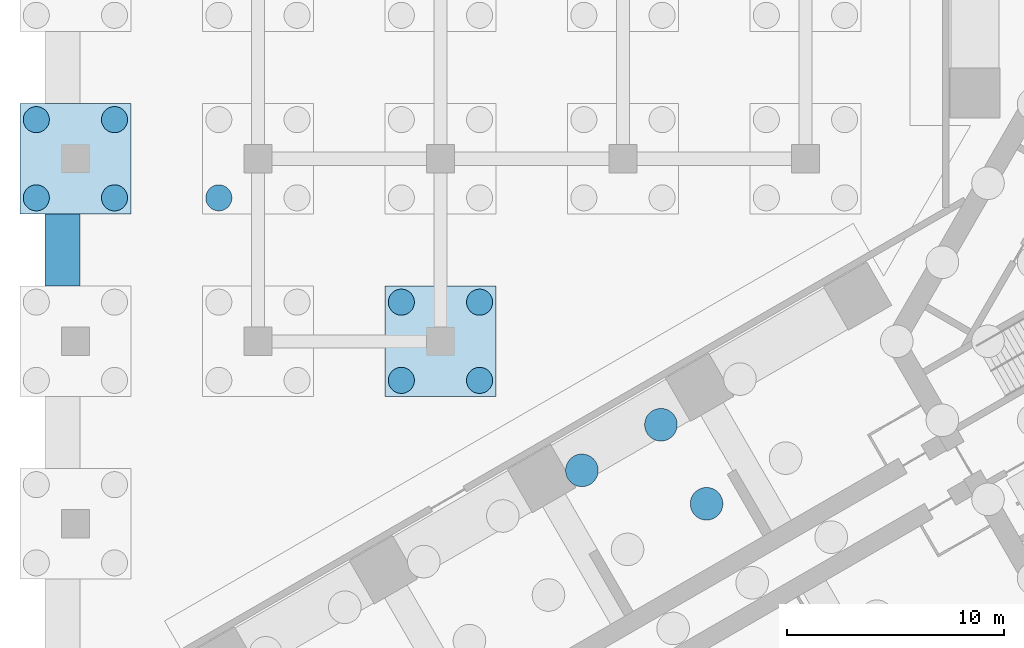
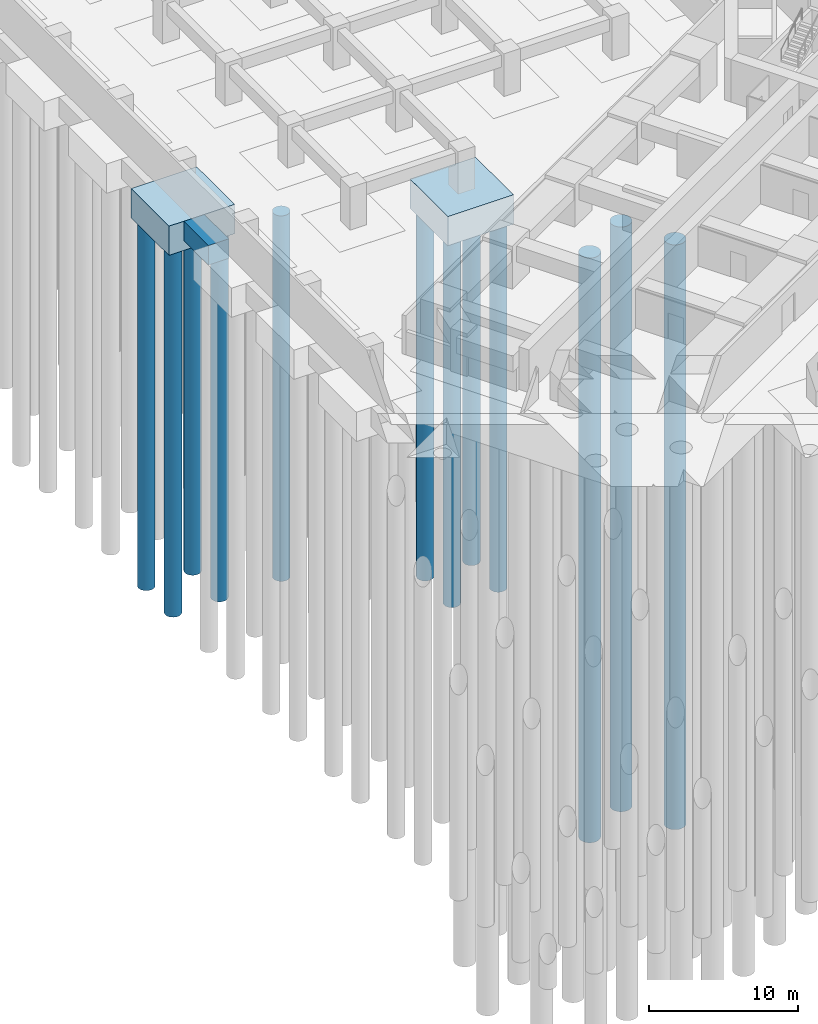
# One storey, part 12 of 73: 12 piles, 3 footings.
"""IFC4 building model written with IfcOpenShell, lengths in metres."""

from ifc_helpers import new_model, si_unit, direction, frame, origin, origin_2d, place, context, subcontext, project, spatial, polyline, circle, outline, extrude, material, material_profile, profile_set, type_object, element, save


model = new_model("IFC4")

# Units and contexts
model_context = context("Model", 3, precision=1e-05, world=origin(), true_north=direction((0.0, 1.0)))
body_context = subcontext(model_context, "Body", "Model", "MODEL_VIEW")
ifc_project = project(units=[si_unit("LENGTHUNIT", "METRE"), si_unit("AREAUNIT", "SQUARE_METRE"), si_unit("VOLUMEUNIT", "CUBIC_METRE"), si_unit("PLANEANGLEUNIT", "RADIAN"), si_unit("MASSUNIT", "GRAM", prefix="KILO")], contexts=[model_context])

# Site, building, storey
site_placement = place(None, origin())
site = spatial("IfcSite", under=ifc_project, at=site_placement, CompositionType="ELEMENT")
building_placement = place(site_placement, origin())
building = spatial("IfcBuilding", under=site, at=building_placement, Name="Impinga Residences", CompositionType="ELEMENT")
storey_placement = place(building_placement, frame((0.0, 0.0, -10.5)))
storey = spatial("IfcBuildingStorey", under=building, at=storey_placement, Name="B3", CompositionType="ELEMENT", Elevation=-10.5)

# Piles
ifc_material_1 = material(Name="Concrete C35/45", Category="concrete")
ifc_material_profile_1 = material_profile(ifc_material_1, circle(Radius=0.75, at=origin_2d()), Name="D1500")
ifc_profile_set_1 = profile_set([ifc_material_profile_1], Name="Concrete C35/45")
pile_type_1 = type_object("IfcPileType", Name="BP1 bored pile D1500", PredefinedType="BORED", material=ifc_profile_set_1)
pile_1_placement = place(storey_placement, frame((-21.35302734375, -7.478515625, -4.0), z_axis=(0.0, 0.0, -1.0), x_axis=(1.0, 0.0, 0.0)))
element("IfcPile", 1, at=pile_1_placement, inside=storey, type_object=pile_type_1, Name="Raft pile BP1-071", PredefinedType="BORED", context=body_context, shape_type="SweptSolid", body=[
    extrude(outline(polyline([(0.75, 0.0), (0.746337890625, 0.073486328125), (0.735595703125, 0.146240234375), (0.7177734375, 0.2177734375), (0.69287109375, 0.287109375), (0.661376953125, 0.353515625), (0.62353515625, 0.416748046875), (0.579833984375, 0.475830078125), (0.5302734375, 0.5302734375), (0.475830078125, 0.579833984375), (0.416748046875, 0.62353515625), (0.353515625, 0.661376953125), (0.287109375, 0.69287109375), (0.2177734375, 0.7177734375), (0.146240234375, 0.735595703125), (0.073486328125, 0.746337890625), (0.0, 0.75), (-0.073486328125, 0.746337890625), (-0.146240234375, 0.735595703125), (-0.2177734375, 0.7177734375), (-0.287109375, 0.69287109375), (-0.353515625, 0.661376953125), (-0.416748046875, 0.62353515625), (-0.475830078125, 0.579833984375), (-0.5302734375, 0.5302734375), (-0.579833984375, 0.475830078125), (-0.62353515625, 0.416748046875), (-0.661376953125, 0.353515625), (-0.69287109375, 0.287109375), (-0.7177734375, 0.2177734375), (-0.735595703125, 0.146240234375), (-0.746337890625, 0.073486328125), (-0.75, 0.0), (-0.746337890625, -0.073486328125), (-0.735595703125, -0.146240234375), (-0.7177734375, -0.2177734375), (-0.69287109375, -0.287109375), (-0.661376953125, -0.353515625), (-0.62353515625, -0.416748046875), (-0.579833984375, -0.475830078125), (-0.5302734375, -0.5302734375), (-0.475830078125, -0.579833984375), (-0.416748046875, -0.62353515625), (-0.353515625, -0.661376953125), (-0.287109375, -0.69287109375), (-0.2177734375, -0.7177734375), (-0.146240234375, -0.735595703125), (-0.073486328125, -0.746337890625), (0.0, -0.75), (0.073486328125, -0.746337890625), (0.146240234375, -0.735595703125), (0.2177734375, -0.7177734375), (0.287109375, -0.69287109375), (0.353515625, -0.661376953125), (0.416748046875, -0.62353515625), (0.475830078125, -0.579833984375), (0.5302734375, -0.5302734375), (0.579833984375, -0.475830078125), (0.62353515625, -0.416748046875), (0.661376953125, -0.353515625), (0.69287109375, -0.287109375), (0.7177734375, -0.2177734375), (0.735595703125, -0.146240234375), (0.746337890625, -0.073486328125), (0.75, 0.0)])), origin(), (0.0, 0.0, 1.0), 48.0),
])
pile_2_placement = place(storey_placement, frame((-27.09033203125, -5.941162109375, -4.0), z_axis=(0.0, 0.0, -1.0), x_axis=(1.0, 0.0, 0.0)))
element("IfcPile", 2, at=pile_2_placement, inside=storey, type_object=pile_type_1, Name="Raft pile BP1-078", PredefinedType="BORED", context=body_context, shape_type="SweptSolid", body=[
    extrude(outline(polyline([(0.75, 0.0), (0.746337890625, 0.073486328125), (0.735595703125, 0.146240234375), (0.7177734375, 0.2177734375), (0.69287109375, 0.287109375), (0.661376953125, 0.353515625), (0.62353515625, 0.416748046875), (0.579833984375, 0.475830078125), (0.5302734375, 0.5302734375), (0.475830078125, 0.579833984375), (0.416748046875, 0.62353515625), (0.353515625, 0.661376953125), (0.287109375, 0.69287109375), (0.2177734375, 0.7177734375), (0.146240234375, 0.735595703125), (0.073486328125, 0.746337890625), (0.0, 0.75), (-0.073486328125, 0.746337890625), (-0.146240234375, 0.735595703125), (-0.2177734375, 0.7177734375), (-0.287109375, 0.69287109375), (-0.353515625, 0.661376953125), (-0.416748046875, 0.62353515625), (-0.475830078125, 0.579833984375), (-0.5302734375, 0.5302734375), (-0.579833984375, 0.475830078125), (-0.62353515625, 0.416748046875), (-0.661376953125, 0.353515625), (-0.69287109375, 0.287109375), (-0.7177734375, 0.2177734375), (-0.735595703125, 0.146240234375), (-0.746337890625, 0.073486328125), (-0.75, 0.0), (-0.746337890625, -0.073486328125), (-0.735595703125, -0.146240234375), (-0.7177734375, -0.2177734375), (-0.69287109375, -0.287109375), (-0.661376953125, -0.353515625), (-0.62353515625, -0.416748046875), (-0.579833984375, -0.475830078125), (-0.5302734375, -0.5302734375), (-0.475830078125, -0.579833984375), (-0.416748046875, -0.62353515625), (-0.353515625, -0.661376953125), (-0.287109375, -0.69287109375), (-0.2177734375, -0.7177734375), (-0.146240234375, -0.735595703125), (-0.073486328125, -0.746337890625), (0.0, -0.75), (0.073486328125, -0.746337890625), (0.146240234375, -0.735595703125), (0.2177734375, -0.7177734375), (0.287109375, -0.69287109375), (0.353515625, -0.661376953125), (0.416748046875, -0.62353515625), (0.475830078125, -0.579833984375), (0.5302734375, -0.5302734375), (0.579833984375, -0.475830078125), (0.62353515625, -0.416748046875), (0.661376953125, -0.353515625), (0.69287109375, -0.287109375), (0.7177734375, -0.2177734375), (0.735595703125, -0.146240234375), (0.746337890625, -0.073486328125), (0.75, 0.0)])), origin(), (0.0, 0.0, 1.0), 48.0),
])
pile_3_placement = place(storey_placement, frame((-23.453125, -3.841064453125, -4.0), z_axis=(0.0, 0.0, -1.0), x_axis=(1.0, 0.0, 0.0)))
element("IfcPile", 3, at=pile_3_placement, inside=storey, type_object=pile_type_1, Name="Raft pile BP1-082", PredefinedType="BORED", context=body_context, shape_type="SweptSolid", body=[
    extrude(outline(polyline([(0.75, 0.0), (0.746337890625, 0.073486328125), (0.735595703125, 0.146240234375), (0.7177734375, 0.2177734375), (0.69287109375, 0.287109375), (0.661376953125, 0.353515625), (0.62353515625, 0.416748046875), (0.579833984375, 0.475830078125), (0.5302734375, 0.5302734375), (0.475830078125, 0.579833984375), (0.416748046875, 0.62353515625), (0.353515625, 0.661376953125), (0.287109375, 0.69287109375), (0.2177734375, 0.7177734375), (0.146240234375, 0.735595703125), (0.073486328125, 0.746337890625), (0.0, 0.75), (-0.073486328125, 0.746337890625), (-0.146240234375, 0.735595703125), (-0.2177734375, 0.7177734375), (-0.287109375, 0.69287109375), (-0.353515625, 0.661376953125), (-0.416748046875, 0.62353515625), (-0.475830078125, 0.579833984375), (-0.5302734375, 0.5302734375), (-0.579833984375, 0.475830078125), (-0.62353515625, 0.416748046875), (-0.661376953125, 0.353515625), (-0.69287109375, 0.287109375), (-0.7177734375, 0.2177734375), (-0.735595703125, 0.146240234375), (-0.746337890625, 0.073486328125), (-0.75, 0.0), (-0.746337890625, -0.073486328125), (-0.735595703125, -0.146240234375), (-0.7177734375, -0.2177734375), (-0.69287109375, -0.287109375), (-0.661376953125, -0.353515625), (-0.62353515625, -0.416748046875), (-0.579833984375, -0.475830078125), (-0.5302734375, -0.5302734375), (-0.475830078125, -0.579833984375), (-0.416748046875, -0.62353515625), (-0.353515625, -0.661376953125), (-0.287109375, -0.69287109375), (-0.2177734375, -0.7177734375), (-0.146240234375, -0.735595703125), (-0.073486328125, -0.746337890625), (0.0, -0.75), (0.073486328125, -0.746337890625), (0.146240234375, -0.735595703125), (0.2177734375, -0.7177734375), (0.287109375, -0.69287109375), (0.353515625, -0.661376953125), (0.416748046875, -0.62353515625), (0.475830078125, -0.579833984375), (0.5302734375, -0.5302734375), (0.579833984375, -0.475830078125), (0.62353515625, -0.416748046875), (0.661376953125, -0.353515625), (0.69287109375, -0.287109375), (0.7177734375, -0.2177734375), (0.735595703125, -0.146240234375), (0.746337890625, -0.073486328125), (0.75, 0.0)])), origin(), (0.0, 0.0, 1.0), 48.0),
])
ifc_material_profile_2 = material_profile(ifc_material_1, circle(Radius=0.60009765625, at=origin_2d()), Name="D1200")
ifc_profile_set_2 = profile_set([ifc_material_profile_2], Name="Concrete C35/45")
pile_type_2 = type_object("IfcPileType", Name="BP2 bored pile D1200", PredefinedType="BORED", material=ifc_profile_set_2)
pile_4_placement = place(storey_placement, frame((-52.199951171875, 6.60009765625, -2.39990234375), z_axis=(0.0, 0.0, -1.0), x_axis=(1.0, 0.0, 0.0)))
element("IfcPile", 4, at=pile_4_placement, inside=storey, type_object=pile_type_2, Name="Cap pile BP2 1/G-1", PredefinedType="BORED", context=body_context, shape_type="SweptSolid", body=[
    extrude(outline(polyline([(0.60009765625, 0.0), (0.59716796875, 0.058837890625), (0.58837890625, 0.116943359375), (0.57421875, 0.174072265625), (0.554443359375, 0.2294921875), (0.529052734375, 0.282958984375), (0.498779296875, 0.333251953125), (0.4638671875, 0.380615234375), (0.42431640625, 0.42431640625), (0.380615234375, 0.4638671875), (0.333251953125, 0.498779296875), (0.282958984375, 0.529052734375), (0.2294921875, 0.554443359375), (0.174072265625, 0.57421875), (0.116943359375, 0.58837890625), (0.058837890625, 0.59716796875), (0.0, 0.60009765625), (-0.058837890625, 0.59716796875), (-0.116943359375, 0.58837890625), (-0.174072265625, 0.57421875), (-0.2294921875, 0.554443359375), (-0.282958984375, 0.529052734375), (-0.333251953125, 0.498779296875), (-0.380615234375, 0.4638671875), (-0.42431640625, 0.42431640625), (-0.4638671875, 0.380615234375), (-0.498779296875, 0.333251953125), (-0.529052734375, 0.282958984375), (-0.554443359375, 0.2294921875), (-0.57421875, 0.174072265625), (-0.58837890625, 0.116943359375), (-0.59716796875, 0.058837890625), (-0.60009765625, 0.0), (-0.59716796875, -0.058837890625), (-0.58837890625, -0.116943359375), (-0.57421875, -0.174072265625), (-0.554443359375, -0.2294921875), (-0.529052734375, -0.282958984375), (-0.498779296875, -0.333251953125), (-0.4638671875, -0.380615234375), (-0.42431640625, -0.42431640625), (-0.380615234375, -0.4638671875), (-0.333251953125, -0.498779296875), (-0.282958984375, -0.529052734375), (-0.2294921875, -0.554443359375), (-0.174072265625, -0.57421875), (-0.116943359375, -0.58837890625), (-0.058837890625, -0.59716796875), (0.0, -0.60009765625), (0.058837890625, -0.59716796875), (0.116943359375, -0.58837890625), (0.174072265625, -0.57421875), (0.2294921875, -0.554443359375), (0.282958984375, -0.529052734375), (0.333251953125, -0.498779296875), (0.380615234375, -0.4638671875), (0.42431640625, -0.42431640625), (0.4638671875, -0.380615234375), (0.498779296875, -0.333251953125), (0.529052734375, -0.282958984375), (0.554443359375, -0.2294921875), (0.57421875, -0.174072265625), (0.58837890625, -0.116943359375), (0.59716796875, -0.058837890625), (0.60009765625, 0.0)])), origin(), (0.0, 0.0, 1.0), 30.0),
])
pile_5_placement = place(storey_placement, frame((-48.60009765625, 6.60009765625, -2.39990234375), z_axis=(0.0, 0.0, -1.0), x_axis=(1.0, 0.0, 0.0)))
element("IfcPile", 5, at=pile_5_placement, inside=storey, type_object=pile_type_2, Name="Cap pile BP2 1/G-2", PredefinedType="BORED", context=body_context, shape_type="SweptSolid", body=[
    extrude(outline(polyline([(0.60009765625, 0.0), (0.59716796875, 0.058837890625), (0.58837890625, 0.116943359375), (0.57421875, 0.174072265625), (0.554443359375, 0.2294921875), (0.529052734375, 0.282958984375), (0.498779296875, 0.333251953125), (0.4638671875, 0.380615234375), (0.42431640625, 0.42431640625), (0.380615234375, 0.4638671875), (0.333251953125, 0.498779296875), (0.282958984375, 0.529052734375), (0.2294921875, 0.554443359375), (0.174072265625, 0.57421875), (0.116943359375, 0.58837890625), (0.058837890625, 0.59716796875), (0.0, 0.60009765625), (-0.058837890625, 0.59716796875), (-0.116943359375, 0.58837890625), (-0.174072265625, 0.57421875), (-0.2294921875, 0.554443359375), (-0.282958984375, 0.529052734375), (-0.333251953125, 0.498779296875), (-0.380615234375, 0.4638671875), (-0.42431640625, 0.42431640625), (-0.4638671875, 0.380615234375), (-0.498779296875, 0.333251953125), (-0.529052734375, 0.282958984375), (-0.554443359375, 0.2294921875), (-0.57421875, 0.174072265625), (-0.58837890625, 0.116943359375), (-0.59716796875, 0.058837890625), (-0.60009765625, 0.0), (-0.59716796875, -0.058837890625), (-0.58837890625, -0.116943359375), (-0.57421875, -0.174072265625), (-0.554443359375, -0.2294921875), (-0.529052734375, -0.282958984375), (-0.498779296875, -0.333251953125), (-0.4638671875, -0.380615234375), (-0.42431640625, -0.42431640625), (-0.380615234375, -0.4638671875), (-0.333251953125, -0.498779296875), (-0.282958984375, -0.529052734375), (-0.2294921875, -0.554443359375), (-0.174072265625, -0.57421875), (-0.116943359375, -0.58837890625), (-0.058837890625, -0.59716796875), (0.0, -0.60009765625), (0.058837890625, -0.59716796875), (0.116943359375, -0.58837890625), (0.174072265625, -0.57421875), (0.2294921875, -0.554443359375), (0.282958984375, -0.529052734375), (0.333251953125, -0.498779296875), (0.380615234375, -0.4638671875), (0.42431640625, -0.42431640625), (0.4638671875, -0.380615234375), (0.498779296875, -0.333251953125), (0.529052734375, -0.282958984375), (0.554443359375, -0.2294921875), (0.57421875, -0.174072265625), (0.58837890625, -0.116943359375), (0.59716796875, -0.058837890625), (0.60009765625, 0.0)])), origin(), (0.0, 0.0, 1.0), 30.0),
])
pile_6_placement = place(storey_placement, frame((-48.60009765625, 10.199951171875, -2.39990234375), z_axis=(0.0, 0.0, -1.0), x_axis=(1.0, 0.0, 0.0)))
element("IfcPile", 6, at=pile_6_placement, inside=storey, type_object=pile_type_2, Name="Cap pile BP2 1/G-3", PredefinedType="BORED", context=body_context, shape_type="SweptSolid", body=[
    extrude(outline(polyline([(0.60009765625, 0.0), (0.59716796875, 0.058837890625), (0.58837890625, 0.116943359375), (0.57421875, 0.174072265625), (0.554443359375, 0.2294921875), (0.529052734375, 0.282958984375), (0.498779296875, 0.333251953125), (0.4638671875, 0.380615234375), (0.42431640625, 0.42431640625), (0.380615234375, 0.4638671875), (0.333251953125, 0.498779296875), (0.282958984375, 0.529052734375), (0.2294921875, 0.554443359375), (0.174072265625, 0.57421875), (0.116943359375, 0.58837890625), (0.058837890625, 0.59716796875), (0.0, 0.60009765625), (-0.058837890625, 0.59716796875), (-0.116943359375, 0.58837890625), (-0.174072265625, 0.57421875), (-0.2294921875, 0.554443359375), (-0.282958984375, 0.529052734375), (-0.333251953125, 0.498779296875), (-0.380615234375, 0.4638671875), (-0.42431640625, 0.42431640625), (-0.4638671875, 0.380615234375), (-0.498779296875, 0.333251953125), (-0.529052734375, 0.282958984375), (-0.554443359375, 0.2294921875), (-0.57421875, 0.174072265625), (-0.58837890625, 0.116943359375), (-0.59716796875, 0.058837890625), (-0.60009765625, 0.0), (-0.59716796875, -0.058837890625), (-0.58837890625, -0.116943359375), (-0.57421875, -0.174072265625), (-0.554443359375, -0.2294921875), (-0.529052734375, -0.282958984375), (-0.498779296875, -0.333251953125), (-0.4638671875, -0.380615234375), (-0.42431640625, -0.42431640625), (-0.380615234375, -0.4638671875), (-0.333251953125, -0.498779296875), (-0.282958984375, -0.529052734375), (-0.2294921875, -0.554443359375), (-0.174072265625, -0.57421875), (-0.116943359375, -0.58837890625), (-0.058837890625, -0.59716796875), (0.0, -0.60009765625), (0.058837890625, -0.59716796875), (0.116943359375, -0.58837890625), (0.174072265625, -0.57421875), (0.2294921875, -0.554443359375), (0.282958984375, -0.529052734375), (0.333251953125, -0.498779296875), (0.380615234375, -0.4638671875), (0.42431640625, -0.42431640625), (0.4638671875, -0.380615234375), (0.498779296875, -0.333251953125), (0.529052734375, -0.282958984375), (0.554443359375, -0.2294921875), (0.57421875, -0.174072265625), (0.58837890625, -0.116943359375), (0.59716796875, -0.058837890625), (0.60009765625, 0.0)])), origin(), (0.0, 0.0, 1.0), 30.0),
])
pile_7_placement = place(storey_placement, frame((-52.199951171875, 10.199951171875, -2.39990234375), z_axis=(0.0, 0.0, -1.0), x_axis=(1.0, 0.0, 0.0)))
element("IfcPile", 7, at=pile_7_placement, inside=storey, type_object=pile_type_2, Name="Cap pile BP2 1/G-4", PredefinedType="BORED", context=body_context, shape_type="SweptSolid", body=[
    extrude(outline(polyline([(0.60009765625, 0.0), (0.59716796875, 0.058837890625), (0.58837890625, 0.116943359375), (0.57421875, 0.174072265625), (0.554443359375, 0.2294921875), (0.529052734375, 0.282958984375), (0.498779296875, 0.333251953125), (0.4638671875, 0.380615234375), (0.42431640625, 0.42431640625), (0.380615234375, 0.4638671875), (0.333251953125, 0.498779296875), (0.282958984375, 0.529052734375), (0.2294921875, 0.554443359375), (0.174072265625, 0.57421875), (0.116943359375, 0.58837890625), (0.058837890625, 0.59716796875), (0.0, 0.60009765625), (-0.058837890625, 0.59716796875), (-0.116943359375, 0.58837890625), (-0.174072265625, 0.57421875), (-0.2294921875, 0.554443359375), (-0.282958984375, 0.529052734375), (-0.333251953125, 0.498779296875), (-0.380615234375, 0.4638671875), (-0.42431640625, 0.42431640625), (-0.4638671875, 0.380615234375), (-0.498779296875, 0.333251953125), (-0.529052734375, 0.282958984375), (-0.554443359375, 0.2294921875), (-0.57421875, 0.174072265625), (-0.58837890625, 0.116943359375), (-0.59716796875, 0.058837890625), (-0.60009765625, 0.0), (-0.59716796875, -0.058837890625), (-0.58837890625, -0.116943359375), (-0.57421875, -0.174072265625), (-0.554443359375, -0.2294921875), (-0.529052734375, -0.282958984375), (-0.498779296875, -0.333251953125), (-0.4638671875, -0.380615234375), (-0.42431640625, -0.42431640625), (-0.380615234375, -0.4638671875), (-0.333251953125, -0.498779296875), (-0.282958984375, -0.529052734375), (-0.2294921875, -0.554443359375), (-0.174072265625, -0.57421875), (-0.116943359375, -0.58837890625), (-0.058837890625, -0.59716796875), (0.0, -0.60009765625), (0.058837890625, -0.59716796875), (0.116943359375, -0.58837890625), (0.174072265625, -0.57421875), (0.2294921875, -0.554443359375), (0.282958984375, -0.529052734375), (0.333251953125, -0.498779296875), (0.380615234375, -0.4638671875), (0.42431640625, -0.42431640625), (0.4638671875, -0.380615234375), (0.498779296875, -0.333251953125), (0.529052734375, -0.282958984375), (0.554443359375, -0.2294921875), (0.57421875, -0.174072265625), (0.58837890625, -0.116943359375), (0.59716796875, -0.058837890625), (0.60009765625, 0.0)])), origin(), (0.0, 0.0, 1.0), 30.0),
])
pile_8_placement = place(storey_placement, frame((-43.800048828125, 6.60009765625, -2.39990234375), z_axis=(0.0, 0.0, -1.0), x_axis=(1.0, 0.0, 0.0)))
element("IfcPile", 8, at=pile_8_placement, inside=storey, type_object=pile_type_2, Name="Cap pile BP2 2/G-1", PredefinedType="BORED", context=body_context, shape_type="SweptSolid", body=[
    extrude(outline(polyline([(0.60009765625, 0.0), (0.59716796875, 0.058837890625), (0.58837890625, 0.116943359375), (0.57421875, 0.174072265625), (0.554443359375, 0.2294921875), (0.529052734375, 0.282958984375), (0.498779296875, 0.333251953125), (0.4638671875, 0.380615234375), (0.42431640625, 0.42431640625), (0.380615234375, 0.4638671875), (0.333251953125, 0.498779296875), (0.282958984375, 0.529052734375), (0.2294921875, 0.554443359375), (0.174072265625, 0.57421875), (0.116943359375, 0.58837890625), (0.058837890625, 0.59716796875), (0.0, 0.60009765625), (-0.058837890625, 0.59716796875), (-0.116943359375, 0.58837890625), (-0.174072265625, 0.57421875), (-0.2294921875, 0.554443359375), (-0.282958984375, 0.529052734375), (-0.333251953125, 0.498779296875), (-0.380615234375, 0.4638671875), (-0.42431640625, 0.42431640625), (-0.4638671875, 0.380615234375), (-0.498779296875, 0.333251953125), (-0.529052734375, 0.282958984375), (-0.554443359375, 0.2294921875), (-0.57421875, 0.174072265625), (-0.58837890625, 0.116943359375), (-0.59716796875, 0.058837890625), (-0.60009765625, 0.0), (-0.59716796875, -0.058837890625), (-0.58837890625, -0.116943359375), (-0.57421875, -0.174072265625), (-0.554443359375, -0.2294921875), (-0.529052734375, -0.282958984375), (-0.498779296875, -0.333251953125), (-0.4638671875, -0.380615234375), (-0.42431640625, -0.42431640625), (-0.380615234375, -0.4638671875), (-0.333251953125, -0.498779296875), (-0.282958984375, -0.529052734375), (-0.2294921875, -0.554443359375), (-0.174072265625, -0.57421875), (-0.116943359375, -0.58837890625), (-0.058837890625, -0.59716796875), (0.0, -0.60009765625), (0.058837890625, -0.59716796875), (0.116943359375, -0.58837890625), (0.174072265625, -0.57421875), (0.2294921875, -0.554443359375), (0.282958984375, -0.529052734375), (0.333251953125, -0.498779296875), (0.380615234375, -0.4638671875), (0.42431640625, -0.42431640625), (0.4638671875, -0.380615234375), (0.498779296875, -0.333251953125), (0.529052734375, -0.282958984375), (0.554443359375, -0.2294921875), (0.57421875, -0.174072265625), (0.58837890625, -0.116943359375), (0.59716796875, -0.058837890625), (0.60009765625, 0.0)])), origin(), (0.0, 0.0, 1.0), 30.0),
])
pile_9_placement = place(storey_placement, frame((-35.39990234375, -1.800048828125, -2.39990234375), z_axis=(0.0, 0.0, -1.0), x_axis=(1.0, 0.0, 0.0)))
element("IfcPile", 9, at=pile_9_placement, inside=storey, type_object=pile_type_2, Name="Cap pile BP2 3/F-1", PredefinedType="BORED", context=body_context, shape_type="SweptSolid", body=[
    extrude(outline(polyline([(0.60009765625, 0.0), (0.59716796875, 0.058837890625), (0.58837890625, 0.116943359375), (0.57421875, 0.174072265625), (0.554443359375, 0.2294921875), (0.529052734375, 0.282958984375), (0.498779296875, 0.333251953125), (0.4638671875, 0.380615234375), (0.42431640625, 0.42431640625), (0.380615234375, 0.4638671875), (0.333251953125, 0.498779296875), (0.282958984375, 0.529052734375), (0.2294921875, 0.554443359375), (0.174072265625, 0.57421875), (0.116943359375, 0.58837890625), (0.058837890625, 0.59716796875), (0.0, 0.60009765625), (-0.058837890625, 0.59716796875), (-0.116943359375, 0.58837890625), (-0.174072265625, 0.57421875), (-0.2294921875, 0.554443359375), (-0.282958984375, 0.529052734375), (-0.333251953125, 0.498779296875), (-0.380615234375, 0.4638671875), (-0.42431640625, 0.42431640625), (-0.4638671875, 0.380615234375), (-0.498779296875, 0.333251953125), (-0.529052734375, 0.282958984375), (-0.554443359375, 0.2294921875), (-0.57421875, 0.174072265625), (-0.58837890625, 0.116943359375), (-0.59716796875, 0.058837890625), (-0.60009765625, 0.0), (-0.59716796875, -0.058837890625), (-0.58837890625, -0.116943359375), (-0.57421875, -0.174072265625), (-0.554443359375, -0.2294921875), (-0.529052734375, -0.282958984375), (-0.498779296875, -0.333251953125), (-0.4638671875, -0.380615234375), (-0.42431640625, -0.42431640625), (-0.380615234375, -0.4638671875), (-0.333251953125, -0.498779296875), (-0.282958984375, -0.529052734375), (-0.2294921875, -0.554443359375), (-0.174072265625, -0.57421875), (-0.116943359375, -0.58837890625), (-0.058837890625, -0.59716796875), (0.0, -0.60009765625), (0.058837890625, -0.59716796875), (0.116943359375, -0.58837890625), (0.174072265625, -0.57421875), (0.2294921875, -0.554443359375), (0.282958984375, -0.529052734375), (0.333251953125, -0.498779296875), (0.380615234375, -0.4638671875), (0.42431640625, -0.42431640625), (0.4638671875, -0.380615234375), (0.498779296875, -0.333251953125), (0.529052734375, -0.282958984375), (0.554443359375, -0.2294921875), (0.57421875, -0.174072265625), (0.58837890625, -0.116943359375), (0.59716796875, -0.058837890625), (0.60009765625, 0.0)])), origin(), (0.0, 0.0, 1.0), 30.0),
])
pile_10_placement = place(storey_placement, frame((-31.800048828125, -1.800048828125, -2.39990234375), z_axis=(0.0, 0.0, -1.0), x_axis=(1.0, 0.0, 0.0)))
element("IfcPile", 10, at=pile_10_placement, inside=storey, type_object=pile_type_2, Name="Cap pile BP2 3/F-2", PredefinedType="BORED", context=body_context, shape_type="SweptSolid", body=[
    extrude(outline(polyline([(0.60009765625, 0.0), (0.59716796875, 0.058837890625), (0.58837890625, 0.116943359375), (0.57421875, 0.174072265625), (0.554443359375, 0.2294921875), (0.529052734375, 0.282958984375), (0.498779296875, 0.333251953125), (0.4638671875, 0.380615234375), (0.42431640625, 0.42431640625), (0.380615234375, 0.4638671875), (0.333251953125, 0.498779296875), (0.282958984375, 0.529052734375), (0.2294921875, 0.554443359375), (0.174072265625, 0.57421875), (0.116943359375, 0.58837890625), (0.058837890625, 0.59716796875), (0.0, 0.60009765625), (-0.058837890625, 0.59716796875), (-0.116943359375, 0.58837890625), (-0.174072265625, 0.57421875), (-0.2294921875, 0.554443359375), (-0.282958984375, 0.529052734375), (-0.333251953125, 0.498779296875), (-0.380615234375, 0.4638671875), (-0.42431640625, 0.42431640625), (-0.4638671875, 0.380615234375), (-0.498779296875, 0.333251953125), (-0.529052734375, 0.282958984375), (-0.554443359375, 0.2294921875), (-0.57421875, 0.174072265625), (-0.58837890625, 0.116943359375), (-0.59716796875, 0.058837890625), (-0.60009765625, 0.0), (-0.59716796875, -0.058837890625), (-0.58837890625, -0.116943359375), (-0.57421875, -0.174072265625), (-0.554443359375, -0.2294921875), (-0.529052734375, -0.282958984375), (-0.498779296875, -0.333251953125), (-0.4638671875, -0.380615234375), (-0.42431640625, -0.42431640625), (-0.380615234375, -0.4638671875), (-0.333251953125, -0.498779296875), (-0.282958984375, -0.529052734375), (-0.2294921875, -0.554443359375), (-0.174072265625, -0.57421875), (-0.116943359375, -0.58837890625), (-0.058837890625, -0.59716796875), (0.0, -0.60009765625), (0.058837890625, -0.59716796875), (0.116943359375, -0.58837890625), (0.174072265625, -0.57421875), (0.2294921875, -0.554443359375), (0.282958984375, -0.529052734375), (0.333251953125, -0.498779296875), (0.380615234375, -0.4638671875), (0.42431640625, -0.42431640625), (0.4638671875, -0.380615234375), (0.498779296875, -0.333251953125), (0.529052734375, -0.282958984375), (0.554443359375, -0.2294921875), (0.57421875, -0.174072265625), (0.58837890625, -0.116943359375), (0.59716796875, -0.058837890625), (0.60009765625, 0.0)])), origin(), (0.0, 0.0, 1.0), 30.0),
])
pile_11_placement = place(storey_placement, frame((-31.800048828125, 1.800048828125, -2.39990234375), z_axis=(0.0, 0.0, -1.0), x_axis=(1.0, 0.0, 0.0)))
element("IfcPile", 11, at=pile_11_placement, inside=storey, type_object=pile_type_2, Name="Cap pile BP2 3/F-3", PredefinedType="BORED", context=body_context, shape_type="SweptSolid", body=[
    extrude(outline(polyline([(0.60009765625, 0.0), (0.59716796875, 0.058837890625), (0.58837890625, 0.116943359375), (0.57421875, 0.174072265625), (0.554443359375, 0.2294921875), (0.529052734375, 0.282958984375), (0.498779296875, 0.333251953125), (0.4638671875, 0.380615234375), (0.42431640625, 0.42431640625), (0.380615234375, 0.4638671875), (0.333251953125, 0.498779296875), (0.282958984375, 0.529052734375), (0.2294921875, 0.554443359375), (0.174072265625, 0.57421875), (0.116943359375, 0.58837890625), (0.058837890625, 0.59716796875), (0.0, 0.60009765625), (-0.058837890625, 0.59716796875), (-0.116943359375, 0.58837890625), (-0.174072265625, 0.57421875), (-0.2294921875, 0.554443359375), (-0.282958984375, 0.529052734375), (-0.333251953125, 0.498779296875), (-0.380615234375, 0.4638671875), (-0.42431640625, 0.42431640625), (-0.4638671875, 0.380615234375), (-0.498779296875, 0.333251953125), (-0.529052734375, 0.282958984375), (-0.554443359375, 0.2294921875), (-0.57421875, 0.174072265625), (-0.58837890625, 0.116943359375), (-0.59716796875, 0.058837890625), (-0.60009765625, 0.0), (-0.59716796875, -0.058837890625), (-0.58837890625, -0.116943359375), (-0.57421875, -0.174072265625), (-0.554443359375, -0.2294921875), (-0.529052734375, -0.282958984375), (-0.498779296875, -0.333251953125), (-0.4638671875, -0.380615234375), (-0.42431640625, -0.42431640625), (-0.380615234375, -0.4638671875), (-0.333251953125, -0.498779296875), (-0.282958984375, -0.529052734375), (-0.2294921875, -0.554443359375), (-0.174072265625, -0.57421875), (-0.116943359375, -0.58837890625), (-0.058837890625, -0.59716796875), (0.0, -0.60009765625), (0.058837890625, -0.59716796875), (0.116943359375, -0.58837890625), (0.174072265625, -0.57421875), (0.2294921875, -0.554443359375), (0.282958984375, -0.529052734375), (0.333251953125, -0.498779296875), (0.380615234375, -0.4638671875), (0.42431640625, -0.42431640625), (0.4638671875, -0.380615234375), (0.498779296875, -0.333251953125), (0.529052734375, -0.282958984375), (0.554443359375, -0.2294921875), (0.57421875, -0.174072265625), (0.58837890625, -0.116943359375), (0.59716796875, -0.058837890625), (0.60009765625, 0.0)])), origin(), (0.0, 0.0, 1.0), 30.0),
])
pile_12_placement = place(storey_placement, frame((-35.39990234375, 1.800048828125, -2.39990234375), z_axis=(0.0, 0.0, -1.0), x_axis=(1.0, 0.0, 0.0)))
element("IfcPile", 12, at=pile_12_placement, inside=storey, type_object=pile_type_2, Name="Cap pile BP2 3/F-4", PredefinedType="BORED", context=body_context, shape_type="SweptSolid", body=[
    extrude(outline(polyline([(0.60009765625, 0.0), (0.59716796875, 0.058837890625), (0.58837890625, 0.116943359375), (0.57421875, 0.174072265625), (0.554443359375, 0.2294921875), (0.529052734375, 0.282958984375), (0.498779296875, 0.333251953125), (0.4638671875, 0.380615234375), (0.42431640625, 0.42431640625), (0.380615234375, 0.4638671875), (0.333251953125, 0.498779296875), (0.282958984375, 0.529052734375), (0.2294921875, 0.554443359375), (0.174072265625, 0.57421875), (0.116943359375, 0.58837890625), (0.058837890625, 0.59716796875), (0.0, 0.60009765625), (-0.058837890625, 0.59716796875), (-0.116943359375, 0.58837890625), (-0.174072265625, 0.57421875), (-0.2294921875, 0.554443359375), (-0.282958984375, 0.529052734375), (-0.333251953125, 0.498779296875), (-0.380615234375, 0.4638671875), (-0.42431640625, 0.42431640625), (-0.4638671875, 0.380615234375), (-0.498779296875, 0.333251953125), (-0.529052734375, 0.282958984375), (-0.554443359375, 0.2294921875), (-0.57421875, 0.174072265625), (-0.58837890625, 0.116943359375), (-0.59716796875, 0.058837890625), (-0.60009765625, 0.0), (-0.59716796875, -0.058837890625), (-0.58837890625, -0.116943359375), (-0.57421875, -0.174072265625), (-0.554443359375, -0.2294921875), (-0.529052734375, -0.282958984375), (-0.498779296875, -0.333251953125), (-0.4638671875, -0.380615234375), (-0.42431640625, -0.42431640625), (-0.380615234375, -0.4638671875), (-0.333251953125, -0.498779296875), (-0.282958984375, -0.529052734375), (-0.2294921875, -0.554443359375), (-0.174072265625, -0.57421875), (-0.116943359375, -0.58837890625), (-0.058837890625, -0.59716796875), (0.0, -0.60009765625), (0.058837890625, -0.59716796875), (0.116943359375, -0.58837890625), (0.174072265625, -0.57421875), (0.2294921875, -0.554443359375), (0.282958984375, -0.529052734375), (0.333251953125, -0.498779296875), (0.380615234375, -0.4638671875), (0.42431640625, -0.42431640625), (0.4638671875, -0.380615234375), (0.498779296875, -0.333251953125), (0.529052734375, -0.282958984375), (0.554443359375, -0.2294921875), (0.57421875, -0.174072265625), (0.58837890625, -0.116943359375), (0.59716796875, -0.058837890625), (0.60009765625, 0.0)])), origin(), (0.0, 0.0, 1.0), 30.0),
])

# Footings
ifc_material_2 = material(Name="Concrete C45/55", Category="concrete")
footing_type_1 = type_object("IfcFootingType", Name="PC4 four-pile cap 5100 square 2400 deep", PredefinedType="PILE_CAP", material=ifc_material_2)
footing_1_placement = place(storey_placement, frame((0.0, 0.0, -2.39990234375)))
element("IfcFooting", 13, at=footing_1_placement, inside=storey, type_object=footing_type_1, Name="Pile cap PC4 1/G", PredefinedType="PILE_CAP", context=body_context, shape_type="SweptSolid", body=[
    extrude(outline(polyline([(-47.85009765625, 5.85009765625), (-47.85009765625, 10.949951171875), (-52.949951171875, 10.949951171875), (-52.949951171875, 5.85009765625), (-47.85009765625, 5.85009765625)])), origin(), (0.0, 0.0, 1.0), 2.39990234375),
])
footing_2_placement = place(storey_placement, frame((0.0, 0.0, -2.39990234375)))
element("IfcFooting", 14, at=footing_2_placement, inside=storey, type_object=footing_type_1, Name="Pile cap PC4 3/F", PredefinedType="PILE_CAP", context=body_context, shape_type="SweptSolid", body=[
    extrude(outline(polyline([(-31.050048828125, -2.550048828125), (-31.050048828125, 2.550048828125), (-36.14990234375, 2.550048828125), (-36.14990234375, -2.550048828125), (-31.050048828125, -2.550048828125)])), origin(), (0.0, 0.0, 1.0), 2.39990234375),
])
footing_type_2 = type_object("IfcFootingType", Name="SF1 strip footing 1600 wide 1600 deep", PredefinedType="STRIP_FOOTING", material=ifc_material_2)
footing_3_placement = place(storey_placement, frame((0.0, 0.0, -1.60009765625)))
element("IfcFooting", 15, at=footing_3_placement, inside=storey, type_object=footing_type_2, Name="Strip footing SF1 W 6", PredefinedType="STRIP_FOOTING", context=body_context, shape_type="SweptSolid", body=[
    extrude(outline(polyline([(-50.199951171875, 2.550048828125), (-51.800048828125, 2.550048828125), (-51.800048828125, 5.85009765625), (-50.199951171875, 5.85009765625), (-50.199951171875, 2.550048828125)])), origin(), (0.0, 0.0, 1.0), 1.60009765625),
])

save(model, "model.ifc")
